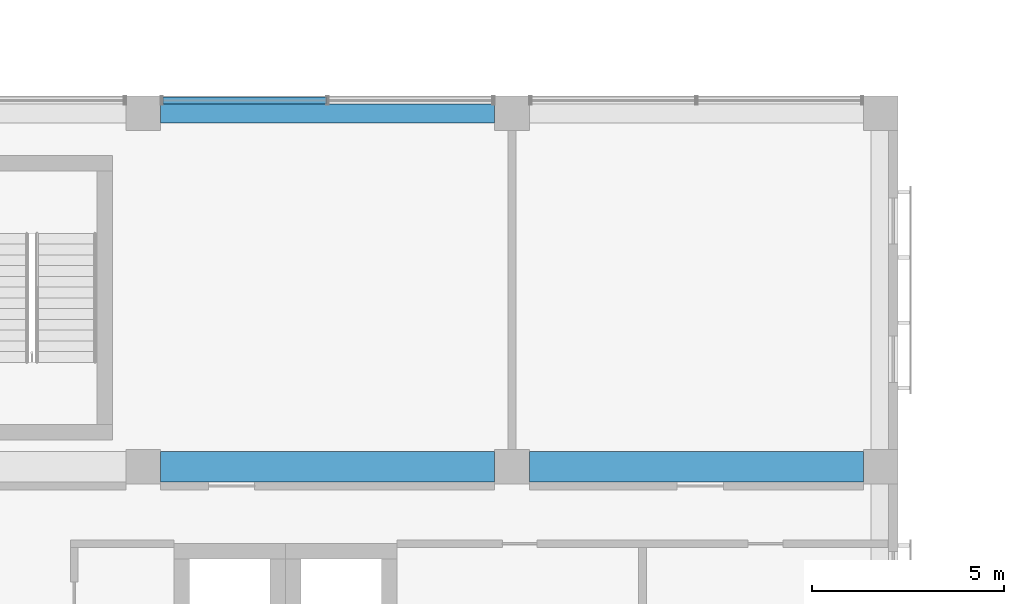
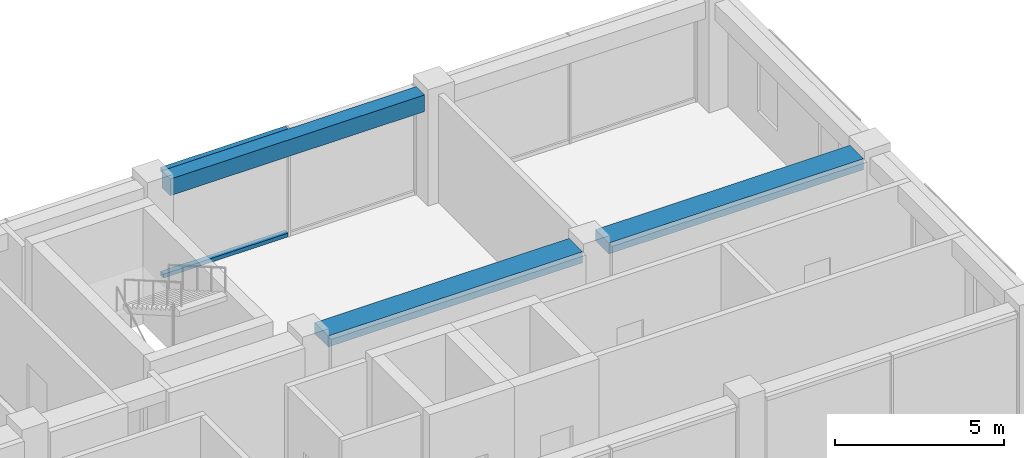
# One storey, part 23 of 36: 3 beams, 2 members, 1 element without a shape of its own.
"""IFC4 building model written with IfcOpenShell, lengths in metres."""

from ifc_helpers import new_model, si_unit, direction, frame, origin, origin_2d, place, context, subcontext, project, spatial, rectangle, hollow_rectangle, extrude, material, layer, layer_set, material_profile, profile_set, type_object, element, aggregate, save


model = new_model("IFC4")

# Units and contexts
model_context = context("Model", 3, precision=1e-05, world=origin(), true_north=direction((0.0, 1.0)))
body_context = subcontext(model_context, "Body", "Model", "MODEL_VIEW")
ifc_project = project(units=[si_unit("LENGTHUNIT", "METRE"), si_unit("AREAUNIT", "SQUARE_METRE"), si_unit("VOLUMEUNIT", "CUBIC_METRE"), si_unit("PLANEANGLEUNIT", "RADIAN"), si_unit("MASSUNIT", "GRAM", prefix="KILO")], contexts=[model_context])

# Site, building, storey
site_placement = place(None, origin())
site = spatial("IfcSite", under=ifc_project, at=site_placement, CompositionType="ELEMENT")
building_placement = place(site_placement, origin())
building = spatial("IfcBuilding", under=site, at=building_placement, Name="Nzadi Deep Aquarium and Research Tower", CompositionType="ELEMENT")
storey_placement = place(building_placement, frame((0.0, 0.0, 36.10009765625)))
storey = spatial("IfcBuildingStorey", under=building, at=storey_placement, Name="L06", CompositionType="ELEMENT", Elevation=36.10009765625)

# Beams
ifc_material_1 = material(Name="Concrete C35/45", Category="concrete")
ifc_material_profile_1 = material_profile(ifc_material_1, rectangle(XDim=0.5, YDim=0.60009765625, at=origin_2d()))
ifc_profile_set_1 = profile_set([ifc_material_profile_1], Name="Concrete C35/45")
beam_type_1 = type_object("IfcBeamType", Name="RC 500x600", PredefinedType="BEAM", material=ifc_profile_set_1)
beam_placement = place(storey_placement, frame((29.25, 46.0, 3.599853515625), z_axis=(1.0, 0.0, 0.0), x_axis=(0.0, 1.0, 0.0)))
element("IfcBeam", 1, at=beam_placement, inside=storey, type_object=beam_type_1, Name="B-Z1-L06-L6-4", PredefinedType="BEAM", context=body_context, shape_type="SweptSolid", body=[
    extrude(rectangle(XDim=0.5, YDim=0.60009765625, at=origin_2d()), origin(), (0.0, 0.0, 1.0), 8.699951171875),
])
ifc_material_2 = material(Name="Concrete C35/45", Category="concrete")
ifc_material_profile_2 = material_profile(ifc_material_2, rectangle(XDim=0.800048828125, YDim=0.39990234375, at=origin_2d()))
ifc_profile_set_2 = profile_set([ifc_material_profile_2], Name="Concrete C35/45")
beam_type_2 = type_object("IfcBeamType", Name="RC 800x400", PredefinedType="BEAM", material=ifc_profile_set_2)
for number, where, z_axis, x_axis, name in (
    (2, (29.25, 36.800048828125, 3.699951171875), (1.0, 0.0, 0.0), (0.0, 1.0, 0.0), "B-Z1-L06-L5-4"),
    (3, (38.85009765625, 36.800048828125, 3.699951171875), (1.0, 0.0, 0.0), (0.0, 1.0, 0.0), "B-Z1-L06-L5-5"),
):
    element("IfcBeam", number, at=place(storey_placement, frame(where, z_axis=z_axis, x_axis=x_axis)), inside=storey, type_object=beam_type_2, Name=name, PredefinedType="BEAM", context=body_context, shape_type="SweptSolid", body=[
        extrude(rectangle(XDim=0.800048828125, YDim=0.39990234375, at=origin_2d()), origin(), (0.0, 0.0, 1.0), 8.699951171875),
    ])

# Curtain wall, members
ifc_material_3 = material(Name="Aluminium unitised frame deep", Category="aluminium")
ifc_layer = layer(ifc_material_3, 0.22509765625)
ifc_layer_set = layer_set([ifc_layer], Name="Aluminium unitised frame deep")
curtain_wall_type = type_object("IfcCurtainWallType", Name="Curtain wall Unitised Deep 225", PredefinedType="NOTDEFINED", material=ifc_layer_set)
curtain_wall_placement = place(storey_placement, origin())
curtain_wall = element("IfcCurtainWall", 4, at=curtain_wall_placement, inside=storey, type_object=curtain_wall_type, Name="Unitised curtain wall blade B north L06", PredefinedType="NOTDEFINED")
ifc_material_4 = material(Name="Aluminium unitised frame deep", Category="aluminium")
ifc_material_profile_3 = material_profile(ifc_material_4, hollow_rectangle(XDim=0.179931640625, YDim=0.139892578125, WallThickness=0.0048828125, at=origin_2d()))
ifc_profile_set_3 = profile_set([ifc_material_profile_3], Name="Aluminium unitised frame deep")
member_type = type_object("IfcMemberType", Name="Transom 140x180 Unitised Deep", PredefinedType="MULLION", material=ifc_profile_set_3)
member_1_placement = place(storey_placement, frame((29.31005859375, 46.33740234375, 0.06982421875), z_axis=(1.0, 0.0, 0.0), x_axis=(0.0, 1.0, 0.0)))
member_1 = element("IfcMember", 5, at=member_1_placement, type_object=member_type, Name="CW096 transom 1.1", PredefinedType="MULLION", context=body_context, shape_type="SweptSolid", body=[
    extrude(hollow_rectangle(XDim=0.179931640625, YDim=0.139892578125, WallThickness=0.0048828125, at=origin_2d()), origin(), (0.0, 0.0, 1.0), 4.260009765625),
])
member_2_placement = place(storey_placement, frame((29.31005859375, 46.33740234375, 3.829833984375), z_axis=(1.0, 0.0, 0.0), x_axis=(0.0, 1.0, 0.0)))
member_2 = element("IfcMember", 6, at=member_2_placement, type_object=member_type, Name="CW096 transom 1.2", PredefinedType="MULLION", context=body_context, shape_type="SweptSolid", body=[
    extrude(hollow_rectangle(XDim=0.179931640625, YDim=0.139892578125, WallThickness=0.0048828125, at=origin_2d()), origin(), (0.0, 0.0, 1.0), 4.260009765625),
])
aggregate(curtain_wall, [member_1, member_2])

save(model, "model.ifc")
